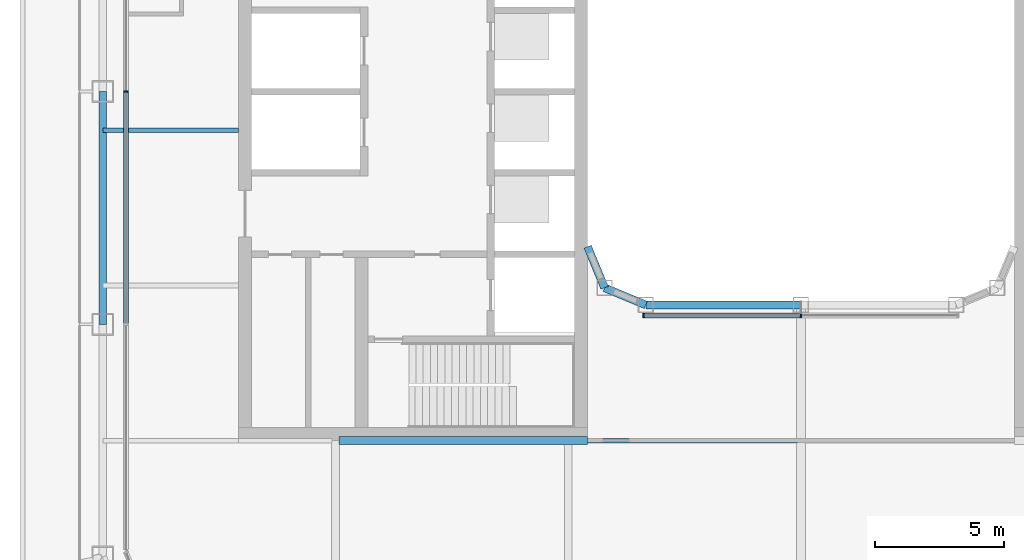
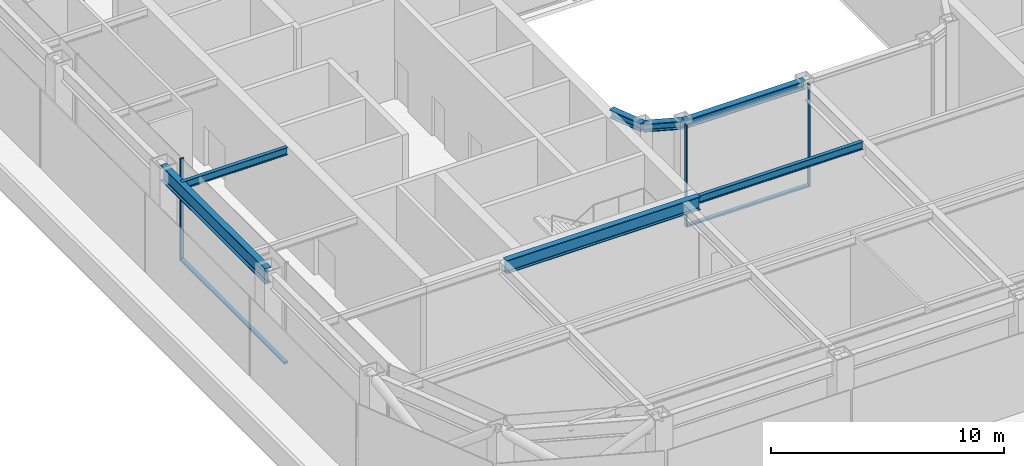
# One storey, part 3 of 19: 7 beams, 5 members, 2 elements without a shape of their own.
"""IFC4 building model written with IfcOpenShell, lengths in metres."""

from ifc_helpers import new_model, si_unit, direction, frame, origin, origin_2d, place, context, subcontext, project, spatial, rectangle, i_section, extrude, material, layer, layer_set, material_profile, profile_set, type_object, element, aggregate, save


model = new_model("IFC4")

# Units and contexts
model_context = context("Model", 3, precision=1e-05, world=origin(), true_north=direction((0.0, 1.0)))
body_context = subcontext(model_context, "Body", "Model", "MODEL_VIEW")
ifc_project = project(units=[si_unit("LENGTHUNIT", "METRE"), si_unit("AREAUNIT", "SQUARE_METRE"), si_unit("VOLUMEUNIT", "CUBIC_METRE"), si_unit("PLANEANGLEUNIT", "RADIAN"), si_unit("MASSUNIT", "GRAM", prefix="KILO")], contexts=[model_context])

# Site, building, storey
site_placement = place(None, origin())
site = spatial("IfcSite", under=ifc_project, at=site_placement, CompositionType="ELEMENT")
building_placement = place(site_placement, origin())
building = spatial("IfcBuilding", under=site, at=building_placement, Name="Siwar Civic Tower", CompositionType="ELEMENT")
storey_placement = place(building_placement, frame((0.0, 0.0, 187.199951171875)))
storey = spatial("IfcBuildingStorey", under=building, at=storey_placement, Name="L40", CompositionType="ELEMENT", Elevation=187.199951171875)

# Curtain wall, member
ifc_material_1 = material(Name="Aluminium and glass", Category="aluminium")
ifc_layer_1 = layer(ifc_material_1, 0.179931640625)
ifc_layer_set_1 = layer_set([ifc_layer_1], Name="Aluminium and glass")
curtain_wall_type_1 = type_object("IfcCurtainWallType", Name="ENV-CW-C", PredefinedType="NOTDEFINED", material=ifc_layer_set_1)
curtain_wall_1_placement = place(storey_placement, origin())
curtain_wall_1 = element("IfcCurtainWall", 1, at=curtain_wall_1_placement, inside=storey, type_object=curtain_wall_type_1, Name="Curtain wall C W", PredefinedType="NOTDEFINED")
ifc_material_2 = material(Name="Aluminium 6063-T6", Category="aluminium")
ifc_material_profile_1 = material_profile(ifc_material_2, rectangle(XDim=0.179931640625, YDim=0.06005859375, at=origin_2d()), Name="AL 180x60")
ifc_profile_set_1 = profile_set([ifc_material_profile_1], Name="Aluminium 6063-T6")
member_type_1 = type_object("IfcMemberType", Name="ENV-MULLION-C", PredefinedType="MULLION", material=ifc_profile_set_1)
member_1_placement = place(storey_placement, frame((-26.10009765625, 0.0, 0.0), z_axis=(0.0, 0.0, 1.0), x_axis=(1.0, 0.0, 0.0)))
member_1 = element("IfcMember", 2, at=member_1_placement, type_object=member_type_1, Name="Mullion C W 3", PredefinedType="MULLION", context=body_context, shape_type="SweptSolid", body=[
    extrude(rectangle(XDim=0.179931640625, YDim=0.06005859375, at=origin_2d()), origin(), (0.0, 0.0, 1.0), 5.35009765625),
])

# Curtain wall, members
ifc_material_3 = material(Name="Aluminium and glass", Category="aluminium")
ifc_layer_2 = layer(ifc_material_3, 0.179931640625)
ifc_layer_set_2 = layer_set([ifc_layer_2], Name="Aluminium and glass")
curtain_wall_type_2 = type_object("IfcCurtainWallType", Name="ENV-CW-W", PredefinedType="NOTDEFINED", material=ifc_layer_set_2)
curtain_wall_2_placement = place(storey_placement, origin())
curtain_wall_2 = element("IfcCurtainWall", 3, at=curtain_wall_2_placement, inside=storey, type_object=curtain_wall_type_2, Name="Curtain wall W WS", PredefinedType="NOTDEFINED")
ifc_material_4 = material(Name="Aluminium 6063-T6", Category="aluminium")
ifc_material_profile_2 = material_profile(ifc_material_4, rectangle(XDim=0.179931640625, YDim=0.06005859375, at=origin_2d()), Name="AL 180x60")
ifc_profile_set_2 = profile_set([ifc_material_profile_2], Name="Aluminium 6063-T6")
member_type_2 = type_object("IfcMemberType", Name="ENV-MULLION-W", PredefinedType="MULLION", material=ifc_profile_set_2)
member_2_placement = place(storey_placement, frame((-6.08154296875, -8.659912109375, 0.0), z_axis=(0.0, 0.0, 1.0), x_axis=(0.0, 1.0, 0.0)))
member_2 = element("IfcMember", 4, at=member_2_placement, type_object=member_type_2, Name="Mullion W WS 1", PredefinedType="MULLION", context=body_context, shape_type="SweptSolid", body=[
    extrude(rectangle(XDim=0.179931640625, YDim=0.06005859375, at=origin_2d()), origin(), (0.0, 0.0, 1.0), 5.35009765625),
])
member_3_placement = place(storey_placement, frame((0.0, -8.659912109375, 0.0), z_axis=(0.0, 0.0, 1.0), x_axis=(0.0, 1.0, 0.0)))
member_3 = element("IfcMember", 5, at=member_3_placement, type_object=member_type_2, Name="Mullion W WS 2", PredefinedType="MULLION", context=body_context, shape_type="SweptSolid", body=[
    extrude(rectangle(XDim=0.179931640625, YDim=0.06005859375, at=origin_2d()), origin(), (0.0, 0.0, 1.0), 5.35009765625),
])

# Member
ifc_material_5 = material(Name="Aluminium 6063-T6", Category="aluminium")
ifc_material_profile_3 = material_profile(ifc_material_5, rectangle(XDim=0.179931640625, YDim=0.10009765625, at=origin_2d()), Name="AL 180x100")
ifc_profile_set_3 = profile_set([ifc_material_profile_3], Name="Aluminium 6063-T6")
member_type_3 = type_object("IfcMemberType", Name="ENV-TRANSOM-C", PredefinedType="USERDEFINED", material=ifc_profile_set_3)
member_4_placement = place(storey_placement, frame((-26.10009765625, -0.030029296875, 0.050048828125), z_axis=(0.0, -1.0, 0.0), x_axis=(1.0, 0.0, 0.0)))
member_4 = element("IfcMember", 6, at=member_4_placement, type_object=member_type_3, Name="Transom C W 3", ObjectType="TRANSOM", PredefinedType="USERDEFINED", context=body_context, shape_type="SweptSolid", body=[
    extrude(rectangle(XDim=0.179931640625, YDim=0.10009765625, at=origin_2d()), origin(), (0.0, 0.0, 1.0), 8.93994140625),
])

aggregate(curtain_wall_1, [member_1, member_4])

ifc_material_6 = material(Name="Aluminium 6063-T6", Category="aluminium")
ifc_material_profile_4 = material_profile(ifc_material_6, rectangle(XDim=0.179931640625, YDim=0.10009765625, at=origin_2d()), Name="AL 180x100")
ifc_profile_set_4 = profile_set([ifc_material_profile_4], Name="Aluminium 6063-T6")
member_type_4 = type_object("IfcMemberType", Name="ENV-TRANSOM-W", PredefinedType="USERDEFINED", material=ifc_profile_set_4)
member_5_placement = place(storey_placement, frame((-6.051513671875, -8.659912109375, 0.050048828125), z_axis=(1.0, 0.0, 0.0), x_axis=(0.0, 1.0, 0.0)))
member_5 = element("IfcMember", 7, at=member_5_placement, type_object=member_type_4, Name="Transom W WS 1", ObjectType="TRANSOM", PredefinedType="USERDEFINED", context=body_context, shape_type="SweptSolid", body=[
    extrude(rectangle(XDim=0.179931640625, YDim=0.10009765625, at=origin_2d()), origin(), (0.0, 0.0, 1.0), 6.021484375),
])

aggregate(curtain_wall_2, [member_2, member_3, member_5])

# Beams
ifc_material_7 = material(Name="Steel S355", Category="steel")
ifc_material_profile_5 = material_profile(ifc_material_7, i_section(OverallWidth=0.179931640625, OverallDepth=0.39990234375, WebThickness=0.008544921875, FlangeThickness=0.013427734375, FilletRadius=0.02099609375, at=origin_2d()), Name="IPE400")
ifc_profile_set_5 = profile_set([ifc_material_profile_5], Name="Steel S355")
beam_type_1 = type_object("IfcBeamType", Name="STR-FB-IPE400", PredefinedType="JOIST", material=ifc_profile_set_5)
beam_1_placement = place(storey_placement, frame((-8.25, -13.5, 5.150146484375), z_axis=(1.0, 0.0, 0.0), x_axis=(0.0, 1.0, 0.0)))
element("IfcBeam", 8, at=beam_1_placement, inside=storey, type_object=beam_type_1, Name="L40/bm/F016", PredefinedType="JOIST", context=body_context, shape_type="SweptSolid", body=[
    extrude(i_section(OverallWidth=0.179931640625, OverallDepth=0.39990234375, WebThickness=0.008544921875, FlangeThickness=0.013427734375, FilletRadius=0.02099609375, at=origin_2d()), origin(), (0.0, 0.0, 1.0), 8.1201171875),
])
beam_2_placement = place(storey_placement, frame((-27.0, -1.5, 5.150146484375), z_axis=(1.0, 0.0, 0.0), x_axis=(0.0, 1.0, 0.0)))
element("IfcBeam", 9, at=beam_2_placement, inside=storey, type_object=beam_type_1, Name="L40/bm/F023", PredefinedType="JOIST", context=body_context, shape_type="SweptSolid", body=[
    extrude(i_section(OverallWidth=0.179931640625, OverallDepth=0.39990234375, WebThickness=0.008544921875, FlangeThickness=0.013427734375, FilletRadius=0.02099609375, at=origin_2d()), origin(), (0.0, 0.0, 1.0), 5.25),
])
ifc_material_8 = material(Name="Steel S355", Category="steel")
ifc_material_profile_6 = material_profile(ifc_material_8, i_section(OverallWidth=0.300048828125, OverallDepth=0.699951171875, WebThickness=0.01708984375, FlangeThickness=0.031982421875, FilletRadius=0.027099609375, at=origin_2d()), Name="HEB700")
ifc_profile_set_6 = profile_set([ifc_material_profile_6], Name="Steel S355")
beam_type_2 = type_object("IfcBeamType", Name="STR-PG-HEB700", PredefinedType="BEAM", material=ifc_profile_set_6)
beam_3_placement = place(storey_placement, frame((-17.8701171875, -13.5, 5.0), z_axis=(1.0, 0.0, 0.0), x_axis=(0.0, 1.0, 0.0)))
element("IfcBeam", 10, at=beam_3_placement, inside=storey, type_object=beam_type_2, Name="L40/bm/F015", PredefinedType="BEAM", context=body_context, shape_type="SweptSolid", body=[
    extrude(i_section(OverallWidth=0.300048828125, OverallDepth=0.699951171875, WebThickness=0.01708984375, FlangeThickness=0.031982421875, FilletRadius=0.027099609375, at=origin_2d()), origin(), (0.0, 0.0, 1.0), 9.6201171875),
])
ifc_material_9 = material(Name="Steel S355", Category="steel")
ifc_material_profile_7 = material_profile(ifc_material_9, i_section(OverallWidth=0.306884765625, OverallDepth=0.431884765625, WebThickness=0.02099609375, FlangeThickness=0.0400390625, FilletRadius=0.027099609375, at=origin_2d()), Name="HEM400")
ifc_profile_set_7 = profile_set([ifc_material_profile_7], Name="Steel S355")
beam_type_3 = type_object("IfcBeamType", Name="STR-RB-HEM400", PredefinedType="BEAM", material=ifc_profile_set_7)
beam_4_placement = place(storey_placement, frame((-7.591064453125, -7.591064453125, 5.134033203125), z_axis=(0.923901072997, -0.382631424892, 0.0), x_axis=(0.382631424892, 0.923901072997, 0.0)))
element("IfcBeam", 11, at=beam_4_placement, inside=storey, type_object=beam_type_3, Name="L40/bm/RS0", PredefinedType="BEAM", context=body_context, shape_type="SweptSolid", body=[
    extrude(i_section(OverallWidth=0.306884765625, OverallDepth=0.431884765625, WebThickness=0.02099609375, FlangeThickness=0.0400390625, FilletRadius=0.027099609375, at=origin_2d()), origin(), (0.0, 0.0, 1.0), 1.72216796875),
])
beam_5_placement = place(storey_placement, frame((-6.0, -8.25, 5.134033203125), z_axis=(1.0, 0.0, 0.0), x_axis=(0.0, 1.0, 0.0)))
element("IfcBeam", 12, at=beam_5_placement, inside=storey, type_object=beam_type_3, Name="L40/bm/RS1", PredefinedType="BEAM", context=body_context, shape_type="SweptSolid", body=[
    extrude(i_section(OverallWidth=0.306884765625, OverallDepth=0.431884765625, WebThickness=0.02099609375, FlangeThickness=0.0400390625, FilletRadius=0.027099609375, at=origin_2d()), origin(), (0.0, 0.0, 1.0), 6.0),
])
beam_6_placement = place(storey_placement, frame((-7.591064453125, -7.591064453125, 5.134033203125), z_axis=(-0.382631424892, 0.923901072997, 0.0), x_axis=(-0.923901072997, -0.382631424892, 0.0)))
element("IfcBeam", 13, at=beam_6_placement, inside=storey, type_object=beam_type_3, Name="L40/bm/RSEW", PredefinedType="BEAM", context=body_context, shape_type="SweptSolid", body=[
    extrude(i_section(OverallWidth=0.306884765625, OverallDepth=0.431884765625, WebThickness=0.02099609375, FlangeThickness=0.0400390625, FilletRadius=0.027099609375, at=origin_2d()), origin(), (0.0, 0.0, 1.0), 1.72216796875),
])
ifc_material_10 = material(Name="Steel S355", Category="steel")
ifc_material_profile_8 = material_profile(ifc_material_10, i_section(OverallWidth=0.300048828125, OverallDepth=0.800048828125, WebThickness=0.017578125, FlangeThickness=0.032958984375, FilletRadius=0.030029296875, at=origin_2d()), Name="HEB800")
ifc_profile_set_8 = profile_set([ifc_material_profile_8], Name="Steel S355")
beam_type_4 = type_object("IfcBeamType", Name="STR-SB-HEB800", PredefinedType="BEAM", material=ifc_profile_set_8)
beam_7_placement = place(storey_placement, frame((-27.0, 0.0, 4.949951171875), z_axis=(0.0, -1.0, 0.0), x_axis=(1.0, 0.0, 0.0)))
element("IfcBeam", 14, at=beam_7_placement, inside=storey, type_object=beam_type_4, Name="L40/bm/SW-2", PredefinedType="BEAM", context=body_context, shape_type="SweptSolid", body=[
    extrude(i_section(OverallWidth=0.300048828125, OverallDepth=0.800048828125, WebThickness=0.017578125, FlangeThickness=0.032958984375, FilletRadius=0.030029296875, at=origin_2d()), origin(), (0.0, 0.0, 1.0), 9.0),
])

save(model, "model.ifc")
